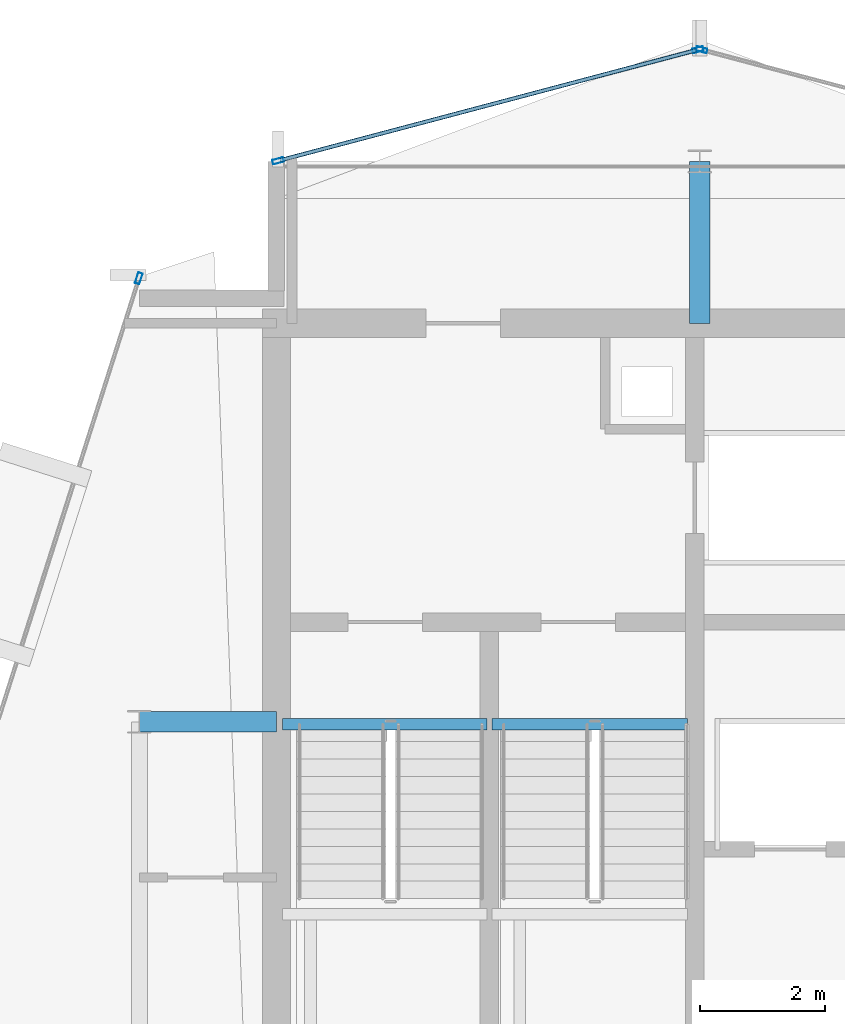
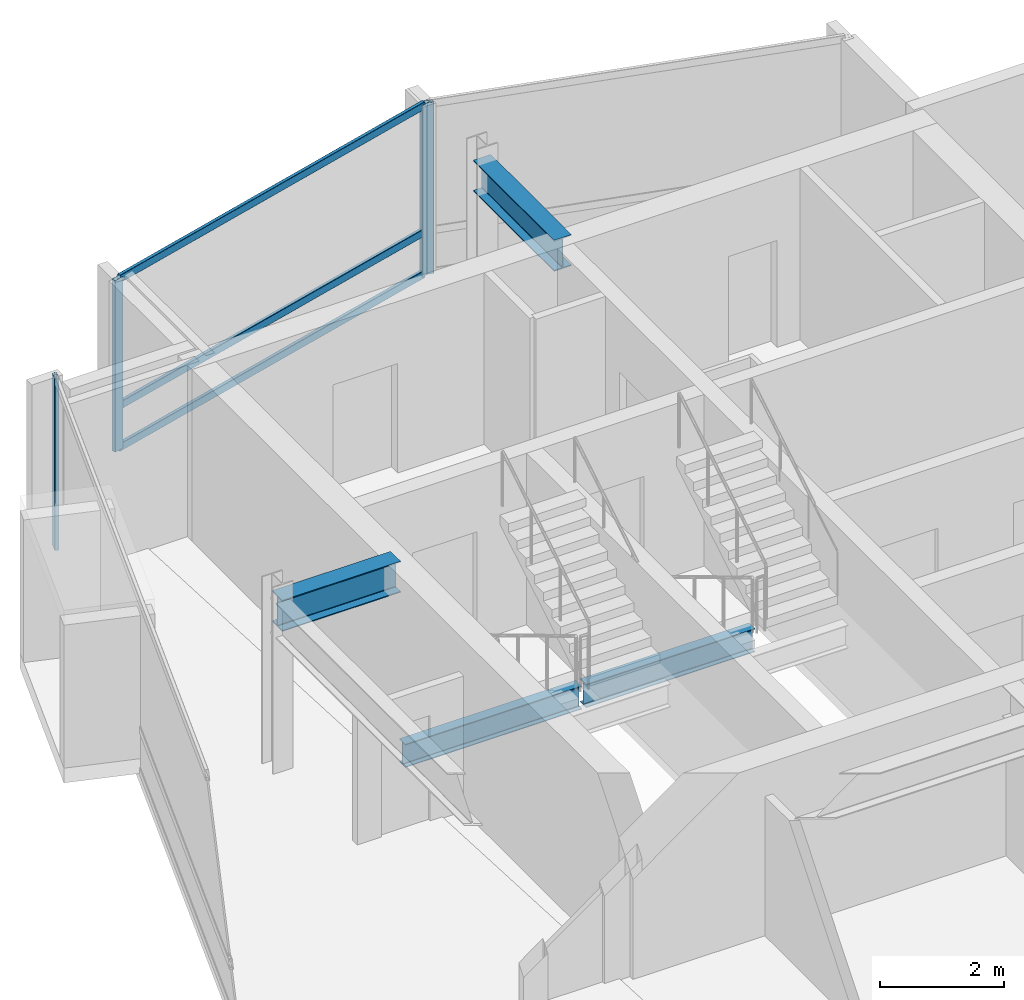
# One storey, part 11 of 19: 7 members, 4 beams, 3 elements without a shape of their own.
"""IFC4 building model written with IfcOpenShell, lengths in metres."""

from ifc_helpers import new_model, si_unit, direction, frame, origin, origin_2d, place, context, subcontext, project, spatial, hollow_rectangle, i_section, extrude, material, layer, layer_set, material_profile, profile_set, type_object, element, aggregate, save


model = new_model("IFC4")

# Units and contexts
model_context = context("Model", 3, precision=1e-05, world=origin(), true_north=direction((0.0, 1.0)))
body_context = subcontext(model_context, "Body", "Model", "MODEL_VIEW")
ifc_project = project(units=[si_unit("LENGTHUNIT", "METRE"), si_unit("AREAUNIT", "SQUARE_METRE"), si_unit("VOLUMEUNIT", "CUBIC_METRE"), si_unit("PLANEANGLEUNIT", "RADIAN"), si_unit("MASSUNIT", "GRAM", prefix="KILO")], contexts=[model_context])

# Site, building, storey
site_placement = place(None, origin())
site = spatial("IfcSite", under=ifc_project, at=site_placement, CompositionType="ELEMENT")
building_placement = place(site_placement, origin())
building = spatial("IfcBuilding", under=site, at=building_placement, Name="Solvaryn Broadcast Tower", CompositionType="ELEMENT")
storey_placement = place(building_placement, frame((0.0, 0.0, 293.699951171875)))
storey = spatial("IfcBuildingStorey", under=building, at=storey_placement, Name="L74", CompositionType="ELEMENT", Elevation=293.699951171875)

# Beams
ifc_material_1 = material(Name="Steel ASTM A992 Grade 50", Category="steel")
ifc_material_profile_1 = material_profile(ifc_material_1, i_section(OverallWidth=0.323974609375, OverallDepth=0.611083984375, WebThickness=0.0126953125, FlangeThickness=0.01904296875, FilletRadius=0.014892578125, at=origin_2d()))
ifc_profile_set_1 = profile_set([ifc_material_profile_1], Name="Steel ASTM A992 Grade 50")
beam_type_1 = type_object("IfcBeamType", Name="BM-B1-W24X104", PredefinedType="BEAM", material=ifc_profile_set_1)
beam_1_placement = place(storey_placement, frame((9.0, 36.0, 3.064453125), z_axis=(1.0, 0.0, 0.0), x_axis=(0.0, 1.0, 0.0)))
element("IfcBeam", 1, at=beam_1_placement, inside=storey, type_object=beam_type_1, Name="L74 Core Tie Beam CTW1", PredefinedType="BEAM", context=body_context, shape_type="SweptSolid", body=[
    extrude(i_section(OverallWidth=0.323974609375, OverallDepth=0.611083984375, WebThickness=0.0126953125, FlangeThickness=0.01904296875, FilletRadius=0.014892578125, at=origin_2d()), origin(), (0.0, 0.0, 1.0), 2.199951171875),
])
beam_2_placement = place(storey_placement, frame((18.0, 42.39990234375, 3.064453125), z_axis=(0.0, 1.0, 0.0), x_axis=(-1.0, 0.0, 0.0)))
element("IfcBeam", 2, at=beam_2_placement, inside=storey, type_object=beam_type_1, Name="L74 Core Tie Beam CTW3", PredefinedType="BEAM", context=body_context, shape_type="SweptSolid", body=[
    extrude(i_section(OverallWidth=0.323974609375, OverallDepth=0.611083984375, WebThickness=0.0126953125, FlangeThickness=0.01904296875, FilletRadius=0.014892578125, at=origin_2d()), origin(), (0.0, 0.0, 1.0), 2.60009765625),
])
ifc_material_2 = material(Name="Steel ASTM A992 Grade 50", Category="steel")
ifc_material_profile_2 = material_profile(ifc_material_2, i_section(OverallWidth=0.18994140625, OverallDepth=0.45703125, WebThickness=0.009033203125, FlangeThickness=0.014404296875, FilletRadius=0.011962890625, at=origin_2d()))
ifc_profile_set_2 = profile_set([ifc_material_profile_2], Name="Steel ASTM A992 Grade 50")
beam_type_2 = type_object("IfcBeamType", Name="BM-B4-W18X50", PredefinedType="BEAM", material=ifc_profile_set_2)
beam_3_placement = place(storey_placement, frame((11.300048828125, 35.9599609375, -0.508544921875), z_axis=(1.0, 0.0, 0.0), x_axis=(0.0, 1.0, 0.0)))
element("IfcBeam", 3, at=beam_3_placement, inside=storey, type_object=beam_type_2, Name="L74 ST1 Stair Well Trimmer Beam", PredefinedType="BEAM", context=body_context, shape_type="SweptSolid", body=[
    extrude(i_section(OverallWidth=0.18994140625, OverallDepth=0.45703125, WebThickness=0.009033203125, FlangeThickness=0.014404296875, FilletRadius=0.011962890625, at=origin_2d()), origin(), (0.0, 0.0, 1.0), 3.280029296875),
])
beam_4_placement = place(storey_placement, frame((14.659912109375, 35.9599609375, -0.508544921875), z_axis=(1.0, 0.0, 0.0), x_axis=(0.0, 1.0, 0.0)))
element("IfcBeam", 4, at=beam_4_placement, inside=storey, type_object=beam_type_2, Name="L74 ST2 Stair Well Trimmer Beam", PredefinedType="BEAM", context=body_context, shape_type="SweptSolid", body=[
    extrude(i_section(OverallWidth=0.18994140625, OverallDepth=0.45703125, WebThickness=0.009033203125, FlangeThickness=0.014404296875, FilletRadius=0.011962890625, at=origin_2d()), origin(), (0.0, 0.0, 1.0), 3.14013671875),
])

# Curtain wall, member
ifc_material_3 = material(Name="Aluminium and Terracotta Unitised Curtain Wall", Category="masonry")
ifc_layer = layer(ifc_material_3, 0.199951171875)
ifc_layer_set = layer_set([ifc_layer], Name="CW-SYS2-LOWMID")
curtain_wall_type = type_object("IfcCurtainWallType", Name="CW-SYS2-LOWMID", PredefinedType="NOTDEFINED", material=ifc_layer_set)
curtain_wall_1_placement = place(storey_placement, origin())
curtain_wall_1 = element("IfcCurtainWall", 5, at=curtain_wall_1_placement, inside=storey, type_object=curtain_wall_type, Name="L74 Curtain Wall DR1", PredefinedType="NOTDEFINED")
ifc_material_4 = material(Name="Anodised Aluminium 6063-T6", Category="aluminium")
ifc_material_profile_3 = material_profile(ifc_material_4, hollow_rectangle(XDim=0.074951171875, YDim=0.179931640625, WallThickness=0.00390625, InnerFilletRadius=0.00390625, OuterFilletRadius=0.008056640625, at=origin_2d()))
ifc_profile_set_3 = profile_set([ifc_material_profile_3], Name="Anodised Aluminium 6063-T6")
member_type_1 = type_object("IfcMemberType", Name="CW-MUL-180", PredefinedType="MULLION", material=ifc_profile_set_3)
member_1_placement = place(storey_placement, frame((8.990966796875, 43.120361328125, 0.0), z_axis=(0.0, 0.0, 1.0), x_axis=(0.952794594701, -0.30361564569, 0.0)))
member_1 = element("IfcMember", 6, at=member_1_placement, type_object=member_type_1, Name="CWS2 mullion 1", PredefinedType="MULLION", context=body_context, shape_type="SweptSolid", body=[
    extrude(hollow_rectangle(XDim=0.074951171875, YDim=0.179931640625, WallThickness=0.00390625, InnerFilletRadius=0.00390625, OuterFilletRadius=0.008056640625, at=origin_2d()), origin(), (0.0, 0.0, 1.0), 3.3701171875),
])
aggregate(curtain_wall_1, [member_1])

curtain_wall_2_placement = place(storey_placement, origin())
curtain_wall_2 = element("IfcCurtainWall", 7, at=curtain_wall_2_placement, inside=storey, type_object=curtain_wall_type, Name="L74 Curtain Wall NT1", PredefinedType="NOTDEFINED")
member_2_placement = place(storey_placement, frame((18.029052734375, 46.792236328125, 0.0), z_axis=(0.0, 0.0, 1.0), x_axis=(-0.25589256031, -0.966705227863, 0.0)))
member_2 = element("IfcMember", 8, at=member_2_placement, type_object=member_type_1, Name="CWS2 mullion 2", PredefinedType="MULLION", context=body_context, shape_type="SweptSolid", body=[
    extrude(hollow_rectangle(XDim=0.074951171875, YDim=0.179931640625, WallThickness=0.00390625, InnerFilletRadius=0.00390625, OuterFilletRadius=0.008056640625, at=origin_2d()), origin(), (0.0, 0.0, 1.0), 3.3701171875),
])
aggregate(curtain_wall_2, [member_2])

# Curtain wall, members
curtain_wall_3_placement = place(storey_placement, origin())
curtain_wall_3 = element("IfcCurtainWall", 9, at=curtain_wall_3_placement, inside=storey, type_object=curtain_wall_type, Name="L74 Curtain Wall NT2", PredefinedType="NOTDEFINED")
member_3_placement = place(storey_placement, frame((17.970947265625, 46.792236328125, 0.0), z_axis=(0.0, 0.0, 1.0), x_axis=(0.25589256031, -0.966705227863, 0.0)))
member_3 = element("IfcMember", 10, at=member_3_placement, type_object=member_type_1, Name="CWS2 mullion 1", PredefinedType="MULLION", context=body_context, shape_type="SweptSolid", body=[
    extrude(hollow_rectangle(XDim=0.074951171875, YDim=0.179931640625, WallThickness=0.00390625, InnerFilletRadius=0.00390625, OuterFilletRadius=0.008056640625, at=origin_2d()), origin(), (0.0, 0.0, 1.0), 3.3701171875),
])
member_4_placement = place(storey_placement, frame((11.22900390625, 45.007568359375, 0.0), z_axis=(0.0, 0.0, 1.0), x_axis=(0.25589256031, -0.966705227863, 0.0)))
member_4 = element("IfcMember", 11, at=member_4_placement, type_object=member_type_1, Name="CWS2 mullion 2", PredefinedType="MULLION", context=body_context, shape_type="SweptSolid", body=[
    extrude(hollow_rectangle(XDim=0.074951171875, YDim=0.179931640625, WallThickness=0.00390625, InnerFilletRadius=0.00390625, OuterFilletRadius=0.008056640625, at=origin_2d()), origin(), (0.0, 0.0, 1.0), 3.3701171875),
])
ifc_material_5 = material(Name="Anodised Aluminium 6063-T6", Category="aluminium")
ifc_material_profile_4 = material_profile(ifc_material_5, hollow_rectangle(XDim=0.06494140625, YDim=0.14990234375, WallThickness=0.00390625, InnerFilletRadius=0.00390625, OuterFilletRadius=0.008056640625, at=origin_2d()))
ifc_profile_set_4 = profile_set([ifc_material_profile_4], Name="Anodised Aluminium 6063-T6")
member_type_2 = type_object("IfcMemberType", Name="CW-TRN-150", PredefinedType="USERDEFINED", material=ifc_profile_set_4)
member_5_placement = place(storey_placement, frame((17.94189453125, 46.78466796875, 0.030029296875), z_axis=(-0.966703943301, -0.255897413051, 0.0), x_axis=(0.255897413051, -0.966703943301, 0.0)))
member_5 = element("IfcMember", 12, at=member_5_placement, type_object=member_type_2, Name="CWS2 transom 1.1", ObjectType="TRANSOM", PredefinedType="USERDEFINED", context=body_context, shape_type="SweptSolid", body=[
    extrude(hollow_rectangle(XDim=0.06494140625, YDim=0.14990234375, WallThickness=0.00390625, InnerFilletRadius=0.00390625, OuterFilletRadius=0.008056640625, at=origin_2d()), origin(), (0.0, 0.0, 1.0), 6.9140625),
])
member_6_placement = place(storey_placement, frame((17.94189453125, 46.78466796875, 0.85009765625), z_axis=(-0.966703943301, -0.255897413051, 0.0), x_axis=(0.255897413051, -0.966703943301, 0.0)))
member_6 = element("IfcMember", 13, at=member_6_placement, type_object=member_type_2, Name="CWS2 transom 1.2", ObjectType="TRANSOM", PredefinedType="USERDEFINED", context=body_context, shape_type="SweptSolid", body=[
    extrude(hollow_rectangle(XDim=0.06494140625, YDim=0.14990234375, WallThickness=0.00390625, InnerFilletRadius=0.00390625, OuterFilletRadius=0.008056640625, at=origin_2d()), origin(), (0.0, 0.0, 1.0), 6.9140625),
])
member_7_placement = place(storey_placement, frame((17.94189453125, 46.78466796875, 3.340087890625), z_axis=(-0.966703943301, -0.255897413051, 0.0), x_axis=(0.255897413051, -0.966703943301, 0.0)))
member_7 = element("IfcMember", 14, at=member_7_placement, type_object=member_type_2, Name="CWS2 transom 1.3", ObjectType="TRANSOM", PredefinedType="USERDEFINED", context=body_context, shape_type="SweptSolid", body=[
    extrude(hollow_rectangle(XDim=0.06494140625, YDim=0.14990234375, WallThickness=0.00390625, InnerFilletRadius=0.00390625, OuterFilletRadius=0.008056640625, at=origin_2d()), origin(), (0.0, 0.0, 1.0), 6.9140625),
])
aggregate(curtain_wall_3, [member_3, member_4, member_5, member_6, member_7])

save(model, "model.ifc")
